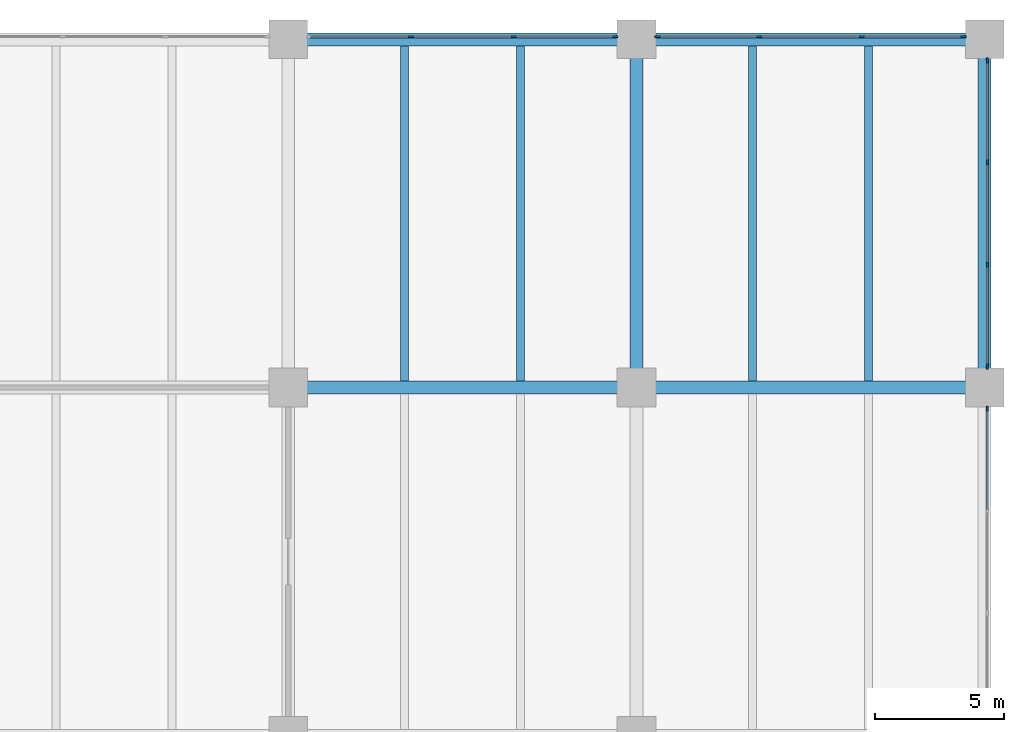
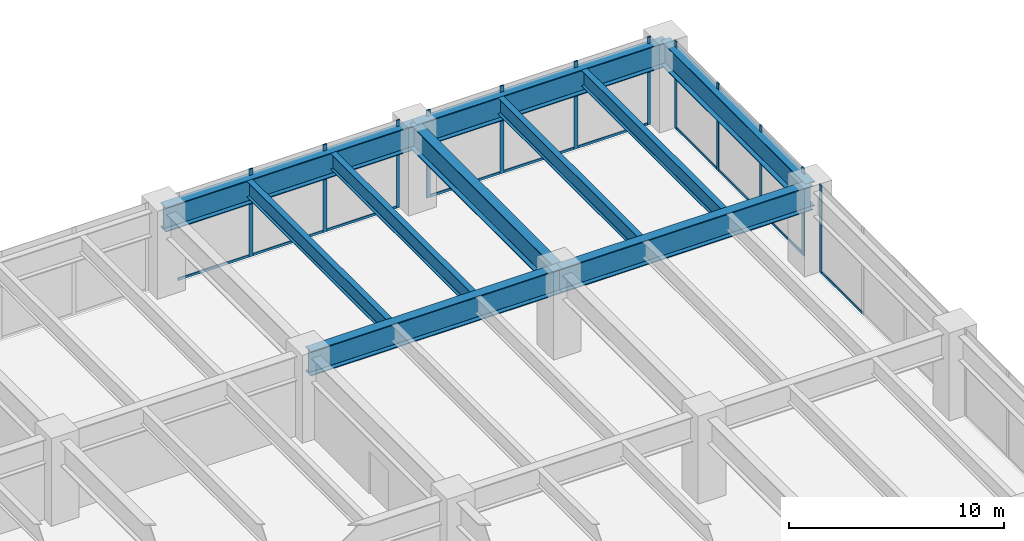
# One storey, part 17 of 32: 22 members, 10 beams, 4 elements without a shape of their own.
"""IFC4 building model written with IfcOpenShell, lengths in metres."""

from ifc_helpers import new_model, si_unit, direction, frame, origin, origin_2d, place, context, subcontext, project, spatial, rectangle, i_section, extrude, material, material_profile, profile_set, type_object, element, aggregate, save


model = new_model("IFC4")

# Units and contexts
model_context = context("Model", 3, precision=1e-05, world=origin(), true_north=direction((0.0, 1.0)))
body_context = subcontext(model_context, "Body", "Model", "MODEL_VIEW")
ifc_project = project(units=[si_unit("LENGTHUNIT", "METRE"), si_unit("AREAUNIT", "SQUARE_METRE"), si_unit("VOLUMEUNIT", "CUBIC_METRE"), si_unit("PLANEANGLEUNIT", "RADIAN"), si_unit("MASSUNIT", "GRAM", prefix="KILO")], contexts=[model_context])

# Site, building, storey
site_placement = place(None, origin())
site = spatial("IfcSite", under=ifc_project, at=site_placement, CompositionType="ELEMENT")
building_placement = place(site_placement, origin())
building = spatial("IfcBuilding", under=site, at=building_placement, Name="Upepo Twin Towers", CompositionType="ELEMENT")
storey_placement = place(building_placement, frame((0.0, 0.0, 10.5)))
storey = spatial("IfcBuildingStorey", under=building, at=storey_placement, Name="L02", CompositionType="ELEMENT", Elevation=10.5)

# Beams
ifc_material_1 = material(Name="Steel S355", Category="steel")
ifc_material_profile_1 = material_profile(ifc_material_1, i_section(OverallWidth=0.5, OverallDepth=1.39990234375, WebThickness=0.02490234375, FlangeThickness=0.050048828125, FilletRadius=0.008056640625, at=origin_2d()), Name="PG 1400x500x25x50")
ifc_profile_set_1 = profile_set([ifc_material_profile_1], Name="Steel S355")
beam_type_1 = type_object("IfcBeamType", Name="Beam PG 1400x500x25x50", PredefinedType="BEAM", material=ifc_profile_set_1)
for number, where, z_axis, x_axis, name in (
    (1, (67.5, 27.0, 3.949951171875), (1.0, 0.0, 0.0), (0.0, 1.0, 0.0), "Podium girder F/8-9"),
    (2, (81.0, 27.0, 3.949951171875), (1.0, 0.0, 0.0), (0.0, 1.0, 0.0), "Podium girder F/9-10"),
    (3, (67.5, 40.5, 3.949951171875), (1.0, 0.0, 0.0), (0.0, 1.0, 0.0), "Podium girder G/8-9"),
    (4, (81.0, 40.5, 3.949951171875), (1.0, 0.0, 0.0), (0.0, 1.0, 0.0), "Podium girder G/9-10"),
    (5, (81.0, 27.0, 3.949951171875), (0.0, 1.0, 0.0), (-1.0, 0.0, 0.0), "Podium girder 9/F-G"),
    (6, (94.5, 27.0, 3.949951171875), (0.0, 1.0, 0.0), (-1.0, 0.0, 0.0), "Podium girder 10/F-G"),
):
    element("IfcBeam", number, at=place(storey_placement, frame(where, z_axis=z_axis, x_axis=x_axis)), inside=storey, type_object=beam_type_1, Name=name, PredefinedType="BEAM", context=body_context, shape_type="SweptSolid", body=[
        extrude(i_section(OverallWidth=0.5, OverallDepth=1.39990234375, WebThickness=0.02490234375, FlangeThickness=0.050048828125, FilletRadius=0.008056640625, at=origin_2d()), origin(), (0.0, 0.0, 1.0), 13.5),
    ])

# Curtain wall, member
ifc_material_2 = material(Name="Aluminium and clear glass", Category="aluminium")
curtain_wall_type = type_object("IfcCurtainWallType", Name="Podium curtain wall PW1", PredefinedType="NOTDEFINED", material=ifc_material_2)
curtain_wall_1_placement = place(storey_placement, origin())
curtain_wall_1 = element("IfcCurtainWall", 7, at=curtain_wall_1_placement, inside=storey, type_object=curtain_wall_type, Name="Podium L02 curtain wall E5", PredefinedType="NOTDEFINED")
ifc_material_3 = material(Name="Aluminium mullion", Category="aluminium")
ifc_material_profile_2 = material_profile(ifc_material_3, rectangle(XDim=0.06494140625, YDim=0.199951171875, at=origin_2d()), Name="MULLION 65x200 PODIUM")
ifc_profile_set_2 = profile_set([ifc_material_profile_2], Name="Aluminium mullion")
member_type_1 = type_object("IfcMemberType", Name="Mullion 65x200 PW1", PredefinedType="MULLION", material=ifc_profile_set_2)
member_1_placement = place(storey_placement, frame((94.60009765625, 26.1826171875, 0.0), z_axis=(0.0, 0.0, 1.0), x_axis=(-1.0, 0.0, 0.0)))
member_1 = element("IfcMember", 8, at=member_1_placement, type_object=member_type_1, Name="Podium L02 curtain wall E5 mullion 4", PredefinedType="MULLION", context=body_context, shape_type="SweptSolid", body=[
    extrude(rectangle(XDim=0.06494140625, YDim=0.199951171875, at=origin_2d()), origin(), (0.0, 0.0, 1.0), 5.0),
])

# Curtain wall, members
curtain_wall_2_placement = place(storey_placement, origin())
curtain_wall_2 = element("IfcCurtainWall", 9, at=curtain_wall_2_placement, inside=storey, type_object=curtain_wall_type, Name="Podium L02 curtain wall E6", PredefinedType="NOTDEFINED")
member_2_placement = place(storey_placement, frame((94.60009765625, 27.8173828125, 0.0), z_axis=(0.0, 0.0, 1.0), x_axis=(-1.0, 0.0, 0.0)))
member_2 = element("IfcMember", 10, at=member_2_placement, type_object=member_type_1, Name="Podium L02 curtain wall E6 mullion 1", PredefinedType="MULLION", context=body_context, shape_type="SweptSolid", body=[
    extrude(rectangle(XDim=0.06494140625, YDim=0.199951171875, at=origin_2d()), origin(), (0.0, 0.0, 1.0), 5.0),
])
member_3_placement = place(storey_placement, frame((94.60009765625, 31.76171875, 0.0), z_axis=(0.0, 0.0, 1.0), x_axis=(-1.0, 0.0, 0.0)))
member_3 = element("IfcMember", 11, at=member_3_placement, type_object=member_type_1, Name="Podium L02 curtain wall E6 mullion 2", PredefinedType="MULLION", context=body_context, shape_type="SweptSolid", body=[
    extrude(rectangle(XDim=0.06494140625, YDim=0.199951171875, at=origin_2d()), origin(), (0.0, 0.0, 1.0), 5.0),
])
member_4_placement = place(storey_placement, frame((94.60009765625, 35.73828125, 0.0), z_axis=(0.0, 0.0, 1.0), x_axis=(-1.0, 0.0, 0.0)))
member_4 = element("IfcMember", 12, at=member_4_placement, type_object=member_type_1, Name="Podium L02 curtain wall E6 mullion 3", PredefinedType="MULLION", context=body_context, shape_type="SweptSolid", body=[
    extrude(rectangle(XDim=0.06494140625, YDim=0.199951171875, at=origin_2d()), origin(), (0.0, 0.0, 1.0), 5.0),
])
member_5_placement = place(storey_placement, frame((94.60009765625, 39.6826171875, 0.0), z_axis=(0.0, 0.0, 1.0), x_axis=(-1.0, 0.0, 0.0)))
member_5 = element("IfcMember", 13, at=member_5_placement, type_object=member_type_1, Name="Podium L02 curtain wall E6 mullion 4", PredefinedType="MULLION", context=body_context, shape_type="SweptSolid", body=[
    extrude(rectangle(XDim=0.06494140625, YDim=0.199951171875, at=origin_2d()), origin(), (0.0, 0.0, 1.0), 5.0),
])

curtain_wall_3_placement = place(storey_placement, origin())
curtain_wall_3 = element("IfcCurtainWall", 14, at=curtain_wall_3_placement, inside=storey, type_object=curtain_wall_type, Name="Podium L02 curtain wall N1", PredefinedType="NOTDEFINED")
member_6_placement = place(storey_placement, frame((93.6826171875, 40.60009765625, 0.0), z_axis=(0.0, 0.0, 1.0), x_axis=(0.0, -1.0, 0.0)))
member_6 = element("IfcMember", 15, at=member_6_placement, type_object=member_type_1, Name="Podium L02 curtain wall N1 mullion 1", PredefinedType="MULLION", context=body_context, shape_type="SweptSolid", body=[
    extrude(rectangle(XDim=0.06494140625, YDim=0.199951171875, at=origin_2d()), origin(), (0.0, 0.0, 1.0), 5.0),
])
member_7_placement = place(storey_placement, frame((89.73828125, 40.60009765625, 0.0), z_axis=(0.0, 0.0, 1.0), x_axis=(0.0, -1.0, 0.0)))
member_7 = element("IfcMember", 16, at=member_7_placement, type_object=member_type_1, Name="Podium L02 curtain wall N1 mullion 2", PredefinedType="MULLION", context=body_context, shape_type="SweptSolid", body=[
    extrude(rectangle(XDim=0.06494140625, YDim=0.199951171875, at=origin_2d()), origin(), (0.0, 0.0, 1.0), 5.0),
])
member_8_placement = place(storey_placement, frame((85.76171875, 40.60009765625, 0.0), z_axis=(0.0, 0.0, 1.0), x_axis=(0.0, -1.0, 0.0)))
member_8 = element("IfcMember", 17, at=member_8_placement, type_object=member_type_1, Name="Podium L02 curtain wall N1 mullion 3", PredefinedType="MULLION", context=body_context, shape_type="SweptSolid", body=[
    extrude(rectangle(XDim=0.06494140625, YDim=0.199951171875, at=origin_2d()), origin(), (0.0, 0.0, 1.0), 5.0),
])
member_9_placement = place(storey_placement, frame((81.8173828125, 40.60009765625, 0.0), z_axis=(0.0, 0.0, 1.0), x_axis=(0.0, -1.0, 0.0)))
member_9 = element("IfcMember", 18, at=member_9_placement, type_object=member_type_1, Name="Podium L02 curtain wall N1 mullion 4", PredefinedType="MULLION", context=body_context, shape_type="SweptSolid", body=[
    extrude(rectangle(XDim=0.06494140625, YDim=0.199951171875, at=origin_2d()), origin(), (0.0, 0.0, 1.0), 5.0),
])

curtain_wall_4_placement = place(storey_placement, origin())
curtain_wall_4 = element("IfcCurtainWall", 19, at=curtain_wall_4_placement, inside=storey, type_object=curtain_wall_type, Name="Podium L02 curtain wall N2", PredefinedType="NOTDEFINED")
member_10_placement = place(storey_placement, frame((80.1826171875, 40.60009765625, 0.0), z_axis=(0.0, 0.0, 1.0), x_axis=(0.0, -1.0, 0.0)))
member_10 = element("IfcMember", 20, at=member_10_placement, type_object=member_type_1, Name="Podium L02 curtain wall N2 mullion 1", PredefinedType="MULLION", context=body_context, shape_type="SweptSolid", body=[
    extrude(rectangle(XDim=0.06494140625, YDim=0.199951171875, at=origin_2d()), origin(), (0.0, 0.0, 1.0), 5.0),
])
member_11_placement = place(storey_placement, frame((76.23828125, 40.60009765625, 0.0), z_axis=(0.0, 0.0, 1.0), x_axis=(0.0, -1.0, 0.0)))
member_11 = element("IfcMember", 21, at=member_11_placement, type_object=member_type_1, Name="Podium L02 curtain wall N2 mullion 2", PredefinedType="MULLION", context=body_context, shape_type="SweptSolid", body=[
    extrude(rectangle(XDim=0.06494140625, YDim=0.199951171875, at=origin_2d()), origin(), (0.0, 0.0, 1.0), 5.0),
])
member_12_placement = place(storey_placement, frame((72.26171875, 40.60009765625, 0.0), z_axis=(0.0, 0.0, 1.0), x_axis=(0.0, -1.0, 0.0)))
member_12 = element("IfcMember", 22, at=member_12_placement, type_object=member_type_1, Name="Podium L02 curtain wall N2 mullion 3", PredefinedType="MULLION", context=body_context, shape_type="SweptSolid", body=[
    extrude(rectangle(XDim=0.06494140625, YDim=0.199951171875, at=origin_2d()), origin(), (0.0, 0.0, 1.0), 5.0),
])

# Beams
ifc_material_4 = material(Name="Steel S355", Category="steel")
ifc_material_profile_3 = material_profile(ifc_material_4, i_section(OverallWidth=0.305419921875, OverallDepth=0.91845703125, WebThickness=0.017333984375, FlangeThickness=0.02783203125, FilletRadius=0.01904296875, at=origin_2d()), Name="UB 914x305x253")
ifc_profile_set_3 = profile_set([ifc_material_profile_3], Name="Steel S355")
beam_type_2 = type_object("IfcBeamType", Name="Secondary beam UB 914x305x253", PredefinedType="JOIST", material=ifc_profile_set_3)
for number, where, z_axis, x_axis, name in (
    (23, (72.0, 27.25, 4.19091796875), (0.0, 1.0, 0.0), (-1.0, 0.0, 0.0), "Podium secondary beam F8.1"),
    (24, (76.5, 27.25, 4.19091796875), (0.0, 1.0, 0.0), (-1.0, 0.0, 0.0), "Podium secondary beam F8.2"),
    (25, (85.5, 27.25, 4.19091796875), (0.0, 1.0, 0.0), (-1.0, 0.0, 0.0), "Podium secondary beam F9.1"),
    (26, (90.0, 27.25, 4.19091796875), (0.0, 1.0, 0.0), (-1.0, 0.0, 0.0), "Podium secondary beam F9.2"),
):
    element("IfcBeam", number, at=place(storey_placement, frame(where, z_axis=z_axis, x_axis=x_axis)), inside=storey, type_object=beam_type_2, Name=name, PredefinedType="JOIST", context=body_context, shape_type="SweptSolid", body=[
        extrude(i_section(OverallWidth=0.305419921875, OverallDepth=0.91845703125, WebThickness=0.017333984375, FlangeThickness=0.02783203125, FilletRadius=0.01904296875, at=origin_2d()), origin(), (0.0, 0.0, 1.0), 13.0),
    ])

# Member
ifc_material_5 = material(Name="Aluminium transom", Category="aluminium")
ifc_material_profile_4 = material_profile(ifc_material_5, rectangle(XDim=0.06494140625, YDim=0.14990234375, at=origin_2d()), Name="TRANSOM 65x150 PODIUM")
ifc_profile_set_4 = profile_set([ifc_material_profile_4], Name="Aluminium transom")
member_type_2 = type_object("IfcMemberType", Name="Transom 65x150 PW1", PredefinedType="USERDEFINED", material=ifc_profile_set_4)
member_13_placement = place(storey_placement, frame((94.60009765625, 22.270751953125, 0.074951171875), z_axis=(0.0, 1.0, 0.0), x_axis=(-1.0, 0.0, 0.0)))
member_13 = element("IfcMember", 27, at=member_13_placement, type_object=member_type_2, Name="Podium L02 curtain wall E5 transom 3", ObjectType="TRANSOM", PredefinedType="USERDEFINED", context=body_context, shape_type="SweptSolid", body=[
    extrude(rectangle(XDim=0.06494140625, YDim=0.14990234375, at=origin_2d()), origin(), (0.0, 0.0, 1.0), 3.879150390625),
])

aggregate(curtain_wall_1, [member_1, member_13])

member_14_placement = place(storey_placement, frame((94.60009765625, 27.85009765625, 0.074951171875), z_axis=(0.0, 1.0, 0.0), x_axis=(-1.0, 0.0, 0.0)))
member_14 = element("IfcMember", 28, at=member_14_placement, type_object=member_type_2, Name="Podium L02 curtain wall E6 transom 1", ObjectType="TRANSOM", PredefinedType="USERDEFINED", context=body_context, shape_type="SweptSolid", body=[
    extrude(rectangle(XDim=0.06494140625, YDim=0.14990234375, at=origin_2d()), origin(), (0.0, 0.0, 1.0), 3.879150390625),
])

member_15_placement = place(storey_placement, frame((94.60009765625, 31.794189453125, 0.074951171875), z_axis=(0.0, 1.0, 0.0), x_axis=(-1.0, 0.0, 0.0)))
member_15 = element("IfcMember", 29, at=member_15_placement, type_object=member_type_2, Name="Podium L02 curtain wall E6 transom 2", ObjectType="TRANSOM", PredefinedType="USERDEFINED", context=body_context, shape_type="SweptSolid", body=[
    extrude(rectangle(XDim=0.06494140625, YDim=0.14990234375, at=origin_2d()), origin(), (0.0, 0.0, 1.0), 3.91162109375),
])

member_16_placement = place(storey_placement, frame((94.60009765625, 35.770751953125, 0.074951171875), z_axis=(0.0, 1.0, 0.0), x_axis=(-1.0, 0.0, 0.0)))
member_16 = element("IfcMember", 30, at=member_16_placement, type_object=member_type_2, Name="Podium L02 curtain wall E6 transom 3", ObjectType="TRANSOM", PredefinedType="USERDEFINED", context=body_context, shape_type="SweptSolid", body=[
    extrude(rectangle(XDim=0.06494140625, YDim=0.14990234375, at=origin_2d()), origin(), (0.0, 0.0, 1.0), 3.879150390625),
])

aggregate(curtain_wall_2, [member_2, member_3, member_4, member_5, member_14, member_15, member_16])

member_17_placement = place(storey_placement, frame((93.64990234375, 40.60009765625, 0.074951171875), z_axis=(-1.0, 0.0, 0.0), x_axis=(0.0, -1.0, 0.0)))
member_17 = element("IfcMember", 31, at=member_17_placement, type_object=member_type_2, Name="Podium L02 curtain wall N1 transom 1", ObjectType="TRANSOM", PredefinedType="USERDEFINED", context=body_context, shape_type="SweptSolid", body=[
    extrude(rectangle(XDim=0.06494140625, YDim=0.14990234375, at=origin_2d()), origin(), (0.0, 0.0, 1.0), 3.879150390625),
])

member_18_placement = place(storey_placement, frame((89.705810546875, 40.60009765625, 0.074951171875), z_axis=(-1.0, 0.0, 0.0), x_axis=(0.0, -1.0, 0.0)))
member_18 = element("IfcMember", 32, at=member_18_placement, type_object=member_type_2, Name="Podium L02 curtain wall N1 transom 2", ObjectType="TRANSOM", PredefinedType="USERDEFINED", context=body_context, shape_type="SweptSolid", body=[
    extrude(rectangle(XDim=0.06494140625, YDim=0.14990234375, at=origin_2d()), origin(), (0.0, 0.0, 1.0), 3.91162109375),
])

member_19_placement = place(storey_placement, frame((85.729248046875, 40.60009765625, 0.074951171875), z_axis=(-1.0, 0.0, 0.0), x_axis=(0.0, -1.0, 0.0)))
member_19 = element("IfcMember", 33, at=member_19_placement, type_object=member_type_2, Name="Podium L02 curtain wall N1 transom 3", ObjectType="TRANSOM", PredefinedType="USERDEFINED", context=body_context, shape_type="SweptSolid", body=[
    extrude(rectangle(XDim=0.06494140625, YDim=0.14990234375, at=origin_2d()), origin(), (0.0, 0.0, 1.0), 3.879150390625),
])

aggregate(curtain_wall_3, [member_6, member_7, member_8, member_9, member_17, member_18, member_19])

member_20_placement = place(storey_placement, frame((80.14990234375, 40.60009765625, 0.074951171875), z_axis=(-1.0, 0.0, 0.0), x_axis=(0.0, -1.0, 0.0)))
member_20 = element("IfcMember", 34, at=member_20_placement, type_object=member_type_2, Name="Podium L02 curtain wall N2 transom 1", ObjectType="TRANSOM", PredefinedType="USERDEFINED", context=body_context, shape_type="SweptSolid", body=[
    extrude(rectangle(XDim=0.06494140625, YDim=0.14990234375, at=origin_2d()), origin(), (0.0, 0.0, 1.0), 3.879150390625),
])

member_21_placement = place(storey_placement, frame((76.205810546875, 40.60009765625, 0.074951171875), z_axis=(-1.0, 0.0, 0.0), x_axis=(0.0, -1.0, 0.0)))
member_21 = element("IfcMember", 35, at=member_21_placement, type_object=member_type_2, Name="Podium L02 curtain wall N2 transom 2", ObjectType="TRANSOM", PredefinedType="USERDEFINED", context=body_context, shape_type="SweptSolid", body=[
    extrude(rectangle(XDim=0.06494140625, YDim=0.14990234375, at=origin_2d()), origin(), (0.0, 0.0, 1.0), 3.91162109375),
])

member_22_placement = place(storey_placement, frame((72.229248046875, 40.60009765625, 0.074951171875), z_axis=(-1.0, 0.0, 0.0), x_axis=(0.0, -1.0, 0.0)))
member_22 = element("IfcMember", 36, at=member_22_placement, type_object=member_type_2, Name="Podium L02 curtain wall N2 transom 3", ObjectType="TRANSOM", PredefinedType="USERDEFINED", context=body_context, shape_type="SweptSolid", body=[
    extrude(rectangle(XDim=0.06494140625, YDim=0.14990234375, at=origin_2d()), origin(), (0.0, 0.0, 1.0), 3.879150390625),
])

aggregate(curtain_wall_4, [member_10, member_11, member_12, member_20, member_21, member_22])

save(model, "model.ifc")
